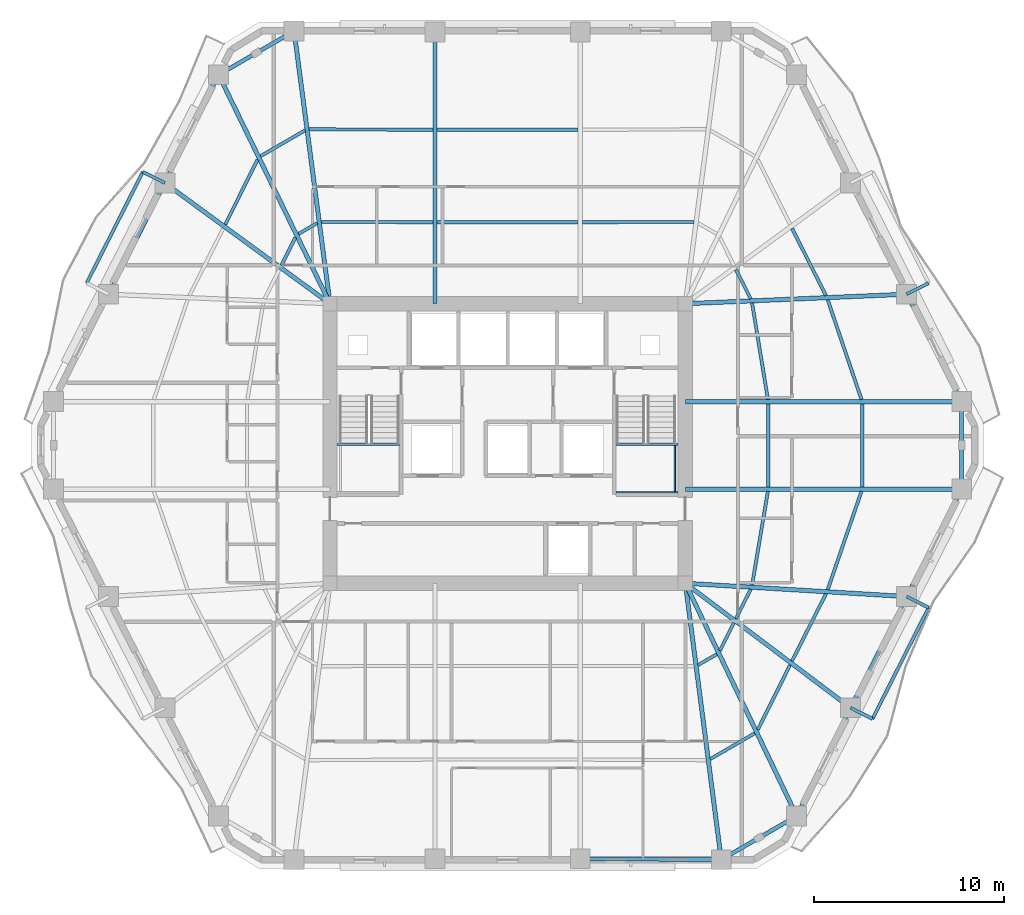
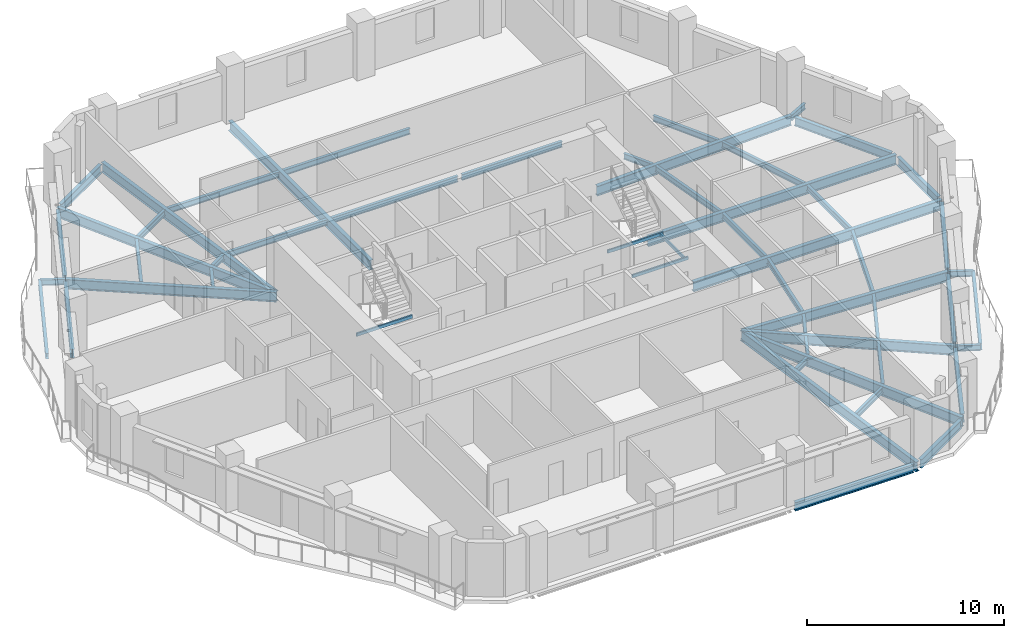
# One storey, part 2 of 12: 54 beams.
"""IFC4 building model written with IfcOpenShell, lengths in metres."""

from ifc_helpers import new_model, si_unit, direction, frame, origin, origin_2d, place, context, subcontext, project, spatial, hollow_rectangle, i_section, extrude, material, material_profile, profile_set, type_object, element, save


model = new_model("IFC4")

# Units and contexts
model_context = context("Model", 3, precision=1e-05, world=origin(), true_north=direction((0.0, 1.0)))
body_context = subcontext(model_context, "Body", "Model", "MODEL_VIEW")
ifc_project = project(units=[si_unit("LENGTHUNIT", "METRE"), si_unit("AREAUNIT", "SQUARE_METRE"), si_unit("VOLUMEUNIT", "CUBIC_METRE"), si_unit("PLANEANGLEUNIT", "RADIAN"), si_unit("MASSUNIT", "GRAM", prefix="KILO")], contexts=[model_context])

# Site, building, storey
site_placement = place(None, origin())
site = spatial("IfcSite", under=ifc_project, at=site_placement, CompositionType="ELEMENT")
building_placement = place(site_placement, origin())
building = spatial("IfcBuilding", under=site, at=building_placement, Name="Cinnabar Lancet Tower", CompositionType="ELEMENT")
storey_placement = place(building_placement, frame((0.0, 0.0, 123.25)))
storey = spatial("IfcBuildingStorey", under=building, at=storey_placement, Name="L32", CompositionType="ELEMENT", Elevation=123.25)

# Beams
ifc_material_1 = material(Name="Structural steel S355", Category="steel")
ifc_material_profile_1 = material_profile(ifc_material_1, i_section(OverallWidth=0.17138671875, OverallDepth=0.35498046875, WebThickness=0.00732421875, FlangeThickness=0.011474609375, FilletRadius=0.01025390625, at=origin_2d()), Name="UKB 356x171x51")
ifc_profile_set_1 = profile_set([ifc_material_profile_1], Name="Structural steel S355")
beam_type_1 = type_object("IfcBeamType", Name="STR-BM-JST-356", PredefinedType="JOIST", material=ifc_profile_set_1)
beam_1_placement = place(storey_placement, frame((43.093994140625, 9.251953125, -0.386962890625), z_axis=(0.865172906898, 0.501473669469, 0.0), x_axis=(-0.501473669469, 0.865172906898, 0.0)))
element("IfcBeam", 1, at=beam_1_placement, inside=storey, type_object=beam_type_1, Name="L32 Secondary Floor Joist 15", PredefinedType="JOIST", context=body_context, shape_type="SweptSolid", body=[
    extrude(i_section(OverallWidth=0.17138671875, OverallDepth=0.35498046875, WebThickness=0.00732421875, FlangeThickness=0.011474609375, FilletRadius=0.01025390625, at=origin_2d()), origin(), (0.0, 0.0, 1.0), 2.705810546875),
])
beam_2_placement = place(storey_placement, frame((42.449951171875, 14.2109375, -0.386962890625), z_axis=(0.865055308165, 0.501676503154, 0.0), x_axis=(-0.501676503154, 0.865055308165, 0.0)))
element("IfcBeam", 2, at=beam_2_placement, inside=storey, type_object=beam_type_1, Name="L32 Secondary Floor Joist 16", PredefinedType="JOIST", context=body_context, shape_type="SweptSolid", body=[
    extrude(i_section(OverallWidth=0.17138671875, OverallDepth=0.35498046875, WebThickness=0.00732421875, FlangeThickness=0.011474609375, FilletRadius=0.01025390625, at=origin_2d()), origin(), (0.0, 0.0, 1.0), 1.14208984375),
])
beam_3_placement = place(storey_placement, frame((45.59912109375, 10.7958984375, -0.386962890625), z_axis=(0.445295120803, 0.895383859241, 0.0), x_axis=(-0.895383859241, 0.445295120803, 0.0)))
element("IfcBeam", 3, at=beam_3_placement, inside=storey, type_object=beam_type_1, Name="L32 Secondary Floor Joist 17", PredefinedType="JOIST", context=body_context, shape_type="SweptSolid", body=[
    extrude(i_section(OverallWidth=0.17138671875, OverallDepth=0.35498046875, WebThickness=0.00732421875, FlangeThickness=0.011474609375, FilletRadius=0.01025390625, at=origin_2d()), origin(), (0.0, 0.0, 1.0), 3.81982421875),
])
beam_4_placement = place(storey_placement, frame((43.60205078125, 14.970947265625, -0.386962890625), z_axis=(0.44543923568, 0.895312173109, 0.0), x_axis=(-0.895312173109, 0.44543923568, 0.0)))
element("IfcBeam", 4, at=beam_4_placement, inside=storey, type_object=beam_type_1, Name="L32 Secondary Floor Joist 18", PredefinedType="JOIST", context=body_context, shape_type="SweptSolid", body=[
    extrude(i_section(OverallWidth=0.17138671875, OverallDepth=0.35498046875, WebThickness=0.00732421875, FlangeThickness=0.011474609375, FilletRadius=0.01025390625, at=origin_2d()), origin(), (0.0, 0.0, 1.0), 1.65185546875),
])
beam_5_placement = place(storey_placement, frame((47.404052734375, 14.424072265625, -0.386962890625), z_axis=(0.450706028652, 0.892672434736, 0.0), x_axis=(-0.892672434736, 0.450706028652, 0.0)))
element("IfcBeam", 5, at=beam_5_placement, inside=storey, type_object=beam_type_1, Name="L32 Secondary Floor Joist 19", PredefinedType="JOIST", context=body_context, shape_type="SweptSolid", body=[
    extrude(i_section(OverallWidth=0.17138671875, OverallDepth=0.35498046875, WebThickness=0.00732421875, FlangeThickness=0.011474609375, FilletRadius=0.01025390625, at=origin_2d()), origin(), (0.0, 0.0, 1.0), 3.966796875),
])
beam_6_placement = place(storey_placement, frame((44.44091796875, 16.657958984375, -0.386962890625), z_axis=(0.450874341268, 0.892587434589, 0.0), x_axis=(-0.892587434589, 0.450874341268, 0.0)))
element("IfcBeam", 6, at=beam_6_placement, inside=storey, type_object=beam_type_1, Name="L32 Secondary Floor Joist 20", PredefinedType="JOIST", context=body_context, shape_type="SweptSolid", body=[
    extrude(i_section(OverallWidth=0.17138671875, OverallDepth=0.35498046875, WebThickness=0.00732421875, FlangeThickness=0.011474609375, FilletRadius=0.01025390625, at=origin_2d()), origin(), (0.0, 0.0, 1.0), 1.732177734375),
])
beam_7_placement = place(storey_placement, frame((49.287109375, 18.18798828125, -0.386962890625), z_axis=(0.324639458548, 0.945837841257, 0.0), x_axis=(-0.945837841257, 0.324639458548, 0.0)))
element("IfcBeam", 7, at=beam_7_placement, inside=storey, type_object=beam_type_1, Name="L32 Secondary Floor Joist 21", PredefinedType="JOIST", context=body_context, shape_type="SweptSolid", body=[
    extrude(i_section(OverallWidth=0.17138671875, OverallDepth=0.35498046875, WebThickness=0.00732421875, FlangeThickness=0.011474609375, FilletRadius=0.01025390625, at=origin_2d()), origin(), (0.0, 0.0, 1.0), 5.486083984375),
])
beam_8_placement = place(storey_placement, frame((45.297119140625, 18.427978515625, -0.386962890625), z_axis=(0.165937104691, 0.986136338082, 0.0), x_axis=(-0.986136338082, 0.165937104691, 0.0)))
element("IfcBeam", 8, at=beam_8_placement, inside=storey, type_object=beam_type_1, Name="L32 Secondary Floor Joist 22", PredefinedType="JOIST", context=body_context, shape_type="SweptSolid", body=[
    extrude(i_section(OverallWidth=0.17138671875, OverallDepth=0.35498046875, WebThickness=0.00732421875, FlangeThickness=0.011474609375, FilletRadius=0.01025390625, at=origin_2d()), origin(), (0.0, 0.0, 1.0), 5.0185546875),
])
for number, where, z_axis, x_axis, name in (
    (9, (51.10693359375, 23.60498046875, -0.386962890625), (0.0, 1.0, 0.0), (-1.0, 0.0, 0.0), "L32 Secondary Floor Joist 23"),
    (10, (46.14990234375, 23.60498046875, -0.386962890625), (0.0, 1.0, 0.0), (-1.0, 0.0, 0.0), "L32 Secondary Floor Joist 24"),
):
    element("IfcBeam", number, at=place(storey_placement, frame(where, z_axis=z_axis, x_axis=x_axis)), inside=storey, type_object=beam_type_1, Name=name, PredefinedType="JOIST", context=body_context, shape_type="SweptSolid", body=[
        extrude(i_section(OverallWidth=0.17138671875, OverallDepth=0.35498046875, WebThickness=0.00732421875, FlangeThickness=0.011474609375, FilletRadius=0.01025390625, at=origin_2d()), origin(), (0.0, 0.0, 1.0), 4.39013671875),
    ])
beam_9_placement = place(storey_placement, frame((51.069091796875, 28.222900390625, -0.386962890625), z_axis=(-0.321063338019, 0.947057724207, 0.0), x_axis=(-0.947057724207, -0.321063338019, 0.0)))
element("IfcBeam", 11, at=beam_9_placement, inside=storey, type_object=beam_type_1, Name="L32 Secondary Floor Joist 25", PredefinedType="JOIST", context=body_context, shape_type="SweptSolid", body=[
    extrude(i_section(OverallWidth=0.17138671875, OverallDepth=0.35498046875, WebThickness=0.00732421875, FlangeThickness=0.011474609375, FilletRadius=0.01025390625, at=origin_2d()), origin(), (0.0, 0.0, 1.0), 5.553955078125),
])
beam_10_placement = place(storey_placement, frame((46.131103515625, 28.222900390625, -0.386962890625), z_axis=(-0.161719098977, 0.986836832017, 0.0), x_axis=(-0.986836832017, -0.161719098977, 0.0)))
element("IfcBeam", 12, at=beam_10_placement, inside=storey, type_object=beam_type_1, Name="L32 Secondary Floor Joist 26", PredefinedType="JOIST", context=body_context, shape_type="SweptSolid", body=[
    extrude(i_section(OverallWidth=0.17138671875, OverallDepth=0.35498046875, WebThickness=0.00732421875, FlangeThickness=0.011474609375, FilletRadius=0.01025390625, at=origin_2d()), origin(), (0.0, 0.0, 1.0), 5.156982421875),
])
beam_11_placement = place(storey_placement, frame((49.19189453125, 33.70703125, -0.386962890625), z_axis=(-0.450606998706, 0.892722427587, 0.0), x_axis=(-0.892722427587, -0.450606998706, 0.0)))
element("IfcBeam", 13, at=beam_11_placement, inside=storey, type_object=beam_type_1, Name="L32 Secondary Floor Joist 27", PredefinedType="JOIST", context=body_context, shape_type="SweptSolid", body=[
    extrude(i_section(OverallWidth=0.17138671875, OverallDepth=0.35498046875, WebThickness=0.00732421875, FlangeThickness=0.011474609375, FilletRadius=0.01025390625, at=origin_2d()), origin(), (0.0, 0.0, 1.0), 3.967529296875),
])
beam_12_placement = place(storey_placement, frame((45.221923828125, 33.537109375, -0.386962890625), z_axis=(-0.450931068976, 0.892558777354, 0.0), x_axis=(-0.892558777354, -0.450931068976, 0.0)))
element("IfcBeam", 14, at=beam_12_placement, inside=storey, type_object=beam_type_1, Name="L32 Secondary Floor Joist 28", PredefinedType="JOIST", context=body_context, shape_type="SweptSolid", body=[
    extrude(i_section(OverallWidth=0.17138671875, OverallDepth=0.35498046875, WebThickness=0.00732421875, FlangeThickness=0.011474609375, FilletRadius=0.01025390625, at=origin_2d()), origin(), (0.0, 0.0, 1.0), 1.73193359375),
])
beam_13_placement = place(storey_placement, frame((42.22802734375, 37.591064453125, -0.386962890625), z_axis=(-0.999996247906, -0.002739374605, 0.0), x_axis=(0.002739374605, -0.999996247906, 0.0)))
element("IfcBeam", 15, at=beam_13_placement, inside=storey, type_object=beam_type_1, Name="L32 Secondary Floor Joist 34", PredefinedType="JOIST", context=body_context, shape_type="SweptSolid", body=[
    extrude(i_section(OverallWidth=0.17138671875, OverallDepth=0.35498046875, WebThickness=0.00732421875, FlangeThickness=0.011474609375, FilletRadius=0.01025390625, at=origin_2d()), origin(), (0.0, 0.0, 1.0), 5.882080078125),
])
for number, where, z_axis, x_axis, name in (
    (16, (36.117919921875, 42.447998046875, -0.386962890625), (-1.0, 0.0, 0.0), (0.0, -1.0, 0.0), "L32 Secondary Floor Joist 35"),
    (17, (36.117919921875, 37.574951171875, -0.386962890625), (-1.0, 0.0, 0.0), (0.0, -1.0, 0.0), "L32 Secondary Floor Joist 36"),
):
    element("IfcBeam", number, at=place(storey_placement, frame(where, z_axis=z_axis, x_axis=x_axis)), inside=storey, type_object=beam_type_1, Name=name, PredefinedType="JOIST", context=body_context, shape_type="SweptSolid", body=[
        extrude(i_section(OverallWidth=0.17138671875, OverallDepth=0.35498046875, WebThickness=0.00732421875, FlangeThickness=0.011474609375, FilletRadius=0.01025390625, at=origin_2d()), origin(), (0.0, 0.0, 1.0), 7.43603515625),
    ])
beam_14_placement = place(storey_placement, frame((28.4541015625, 42.448974609375, -0.386962890625), z_axis=(-0.999987991898, 0.004900618269, 0.0), x_axis=(-0.004900618269, -0.999987991898, 0.0)))
element("IfcBeam", 18, at=beam_14_placement, inside=storey, type_object=beam_type_1, Name="L32 Secondary Floor Joist 37", PredefinedType="JOIST", context=body_context, shape_type="SweptSolid", body=[
    extrude(i_section(OverallWidth=0.17138671875, OverallDepth=0.35498046875, WebThickness=0.00732421875, FlangeThickness=0.011474609375, FilletRadius=0.01025390625, at=origin_2d()), origin(), (0.0, 0.0, 1.0), 6.526123046875),
])
beam_15_placement = place(storey_placement, frame((28.4541015625, 37.574951171875, -0.386962890625), z_axis=(-0.999996247906, 0.002739374605, 0.0), x_axis=(-0.002739374605, -0.999996247906, 0.0)))
element("IfcBeam", 19, at=beam_15_placement, inside=storey, type_object=beam_type_1, Name="L32 Secondary Floor Joist 38", PredefinedType="JOIST", context=body_context, shape_type="SweptSolid", body=[
    extrude(i_section(OverallWidth=0.17138671875, OverallDepth=0.35498046875, WebThickness=0.00732421875, FlangeThickness=0.011474609375, FilletRadius=0.01025390625, at=origin_2d()), origin(), (0.0, 0.0, 1.0), 5.882080078125),
])
beam_16_placement = place(storey_placement, frame((21.7060546875, 42.419921875, -0.386962890625), z_axis=(-0.865172906898, -0.501473669469, 0.0), x_axis=(0.501473669469, -0.865172906898, 0.0)))
element("IfcBeam", 20, at=beam_16_placement, inside=storey, type_object=beam_type_1, Name="L32 Secondary Floor Joist 39", PredefinedType="JOIST", context=body_context, shape_type="SweptSolid", body=[
    extrude(i_section(OverallWidth=0.17138671875, OverallDepth=0.35498046875, WebThickness=0.00732421875, FlangeThickness=0.011474609375, FilletRadius=0.01025390625, at=origin_2d()), origin(), (0.0, 0.0, 1.0), 2.705810546875),
])
beam_17_placement = place(storey_placement, frame((22.35009765625, 37.529052734375, -0.386962890625), z_axis=(-0.865055308165, -0.501676503154, 0.0), x_axis=(0.501676503154, -0.865055308165, 0.0)))
element("IfcBeam", 21, at=beam_17_placement, inside=storey, type_object=beam_type_1, Name="L32 Secondary Floor Joist 40", PredefinedType="JOIST", context=body_context, shape_type="SweptSolid", body=[
    extrude(i_section(OverallWidth=0.17138671875, OverallDepth=0.35498046875, WebThickness=0.00732421875, FlangeThickness=0.011474609375, FilletRadius=0.01025390625, at=origin_2d()), origin(), (0.0, 0.0, 1.0), 1.14208984375),
])
beam_18_placement = place(storey_placement, frame((19.200927734375, 40.876953125, -0.386962890625), z_axis=(-0.445116798807, -0.895472520751, 0.0), x_axis=(0.895472520751, -0.445116798807, 0.0)))
element("IfcBeam", 22, at=beam_18_placement, inside=storey, type_object=beam_type_1, Name="L32 Secondary Floor Joist 41", PredefinedType="JOIST", context=body_context, shape_type="SweptSolid", body=[
    extrude(i_section(OverallWidth=0.17138671875, OverallDepth=0.35498046875, WebThickness=0.00732421875, FlangeThickness=0.011474609375, FilletRadius=0.01025390625, at=origin_2d()), origin(), (0.0, 0.0, 1.0), 3.8212890625),
])
beam_19_placement = place(storey_placement, frame((21.198974609375, 36.77001953125, -0.386962890625), z_axis=(-0.445795466264, -0.895134851438, 0.0), x_axis=(0.895134851438, -0.445795466264, 0.0)))
element("IfcBeam", 23, at=beam_19_placement, inside=storey, type_object=beam_type_1, Name="L32 Secondary Floor Joist 42", PredefinedType="JOIST", context=body_context, shape_type="SweptSolid", body=[
    extrude(i_section(OverallWidth=0.17138671875, OverallDepth=0.35498046875, WebThickness=0.00732421875, FlangeThickness=0.011474609375, FilletRadius=0.01025390625, at=origin_2d()), origin(), (0.0, 0.0, 1.0), 1.6533203125),
])
ifc_material_2 = material(Name="Structural steel S355", Category="steel")
ifc_material_profile_2 = material_profile(ifc_material_2, hollow_rectangle(XDim=0.10009765625, YDim=0.199951171875, WallThickness=0.008056640625, InnerFilletRadius=0.00390625, OuterFilletRadius=0.011962890625, at=origin_2d()), Name="RHS 200x100x8")
ifc_profile_set_2 = profile_set([ifc_material_profile_2], Name="Structural steel S355")
beam_type_2 = type_object("IfcBeamType", Name="STR-BM-LND-203", PredefinedType="BEAM", material=ifc_profile_set_2)
beam_20_placement = place(storey_placement, frame((23.39990234375, 25.844970703125, 1.47509765625), z_axis=(1.0, 0.0, 0.0), x_axis=(0.0, 1.0, 0.0)))
element("IfcBeam", 24, at=beam_20_placement, inside=storey, type_object=beam_type_2, Name="L32 ST-1-L32 Landing Support Beam N", PredefinedType="BEAM", context=body_context, shape_type="SweptSolid", body=[
    extrude(hollow_rectangle(XDim=0.10009765625, YDim=0.199951171875, WallThickness=0.008056640625, InnerFilletRadius=0.00390625, OuterFilletRadius=0.011962890625, at=origin_2d()), origin(), (0.0, 0.0, 1.0), 3.280029296875),
])
for number, where, z_axis, x_axis, name in (
    (25, (38.1201171875, 23.330078125, 1.47509765625), (1.0, 0.0, 0.0), (0.0, 1.0, 0.0), "L32 ST-2-L32 Landing Support Beam S"),
    (26, (38.1201171875, 25.844970703125, 1.47509765625), (1.0, 0.0, 0.0), (0.0, 1.0, 0.0), "L32 ST-2-L32 Landing Support Beam N"),
):
    element("IfcBeam", number, at=place(storey_placement, frame(where, z_axis=z_axis, x_axis=x_axis)), inside=storey, type_object=beam_type_2, Name=name, PredefinedType="BEAM", context=body_context, shape_type="SweptSolid", body=[
        extrude(hollow_rectangle(XDim=0.10009765625, YDim=0.199951171875, WallThickness=0.008056640625, InnerFilletRadius=0.00390625, OuterFilletRadius=0.011962890625, at=origin_2d()), origin(), (0.0, 0.0, 1.0), 3.27978515625),
    ])
beam_21_placement = place(storey_placement, frame((41.219970703125, 23.3798828125, 1.47509765625), z_axis=(0.0, 1.0, 0.0), x_axis=(-1.0, 0.0, 0.0)))
element("IfcBeam", 27, at=beam_21_placement, inside=storey, type_object=beam_type_2, Name="L32 ST-2-L32 Landing Side Trimmer Beam", PredefinedType="BEAM", context=body_context, shape_type="SweptSolid", body=[
    extrude(hollow_rectangle(XDim=0.10009765625, YDim=0.199951171875, WallThickness=0.008056640625, InnerFilletRadius=0.00390625, OuterFilletRadius=0.011962890625, at=origin_2d()), origin(), (0.0, 0.0, 1.0), 2.4150390625),
])
ifc_material_3 = material(Name="Structural steel S355", Category="steel")
ifc_material_profile_3 = material_profile(ifc_material_3, i_section(OverallWidth=0.209228515625, OverallDepth=0.533203125, WebThickness=0.010009765625, FlangeThickness=0.015625, FilletRadius=0.0126953125, at=origin_2d()), Name="UKB 533x210x92")
ifc_profile_set_3 = profile_set([ifc_material_profile_3], Name="Structural steel S355")
beam_type_3 = type_object("IfcBeamType", Name="STR-BM-SPN-533", PredefinedType="SPANDREL", material=ifc_profile_set_3)
beam_22_placement = place(storey_placement, frame((36.48193359375, 3.989990234375, -0.47705078125), z_axis=(0.999974980359, -0.007073800628, 0.0), x_axis=(0.007073800628, 0.999974980359, 0.0)))
element("IfcBeam", 28, at=beam_22_placement, inside=storey, type_object=beam_type_3, Name="L32 Perimeter Spandrel 3", PredefinedType="SPANDREL", context=body_context, shape_type="SweptSolid", body=[
    extrude(i_section(OverallWidth=0.209228515625, OverallDepth=0.533203125, WebThickness=0.010009765625, FlangeThickness=0.015625, FilletRadius=0.0126953125, at=origin_2d()), origin(), (0.0, 0.0, 1.0), 6.937255859375),
])
beam_23_placement = place(storey_placement, frame((43.885009765625, 4.06396484375, -0.47705078125), z_axis=(0.865112299906, 0.501578217781, 0.0), x_axis=(-0.501578217781, 0.865112299906, 0.0)))
element("IfcBeam", 29, at=beam_23_placement, inside=storey, type_object=beam_type_3, Name="L32 Perimeter Spandrel 4", PredefinedType="SPANDREL", context=body_context, shape_type="SweptSolid", body=[
    extrude(i_section(OverallWidth=0.209228515625, OverallDepth=0.533203125, WebThickness=0.010009765625, FlangeThickness=0.015625, FilletRadius=0.0126953125, at=origin_2d()), origin(), (0.0, 0.0, 1.0), 4.101318359375),
])
beam_24_placement = place(storey_placement, frame((47.760009765625, 6.469970703125, -0.47705078125), z_axis=(0.445501068635, 0.89528140707, 0.0), x_axis=(-0.89528140707, 0.445501068635, 0.0)))
element("IfcBeam", 30, at=beam_24_placement, inside=storey, type_object=beam_type_3, Name="L32 Perimeter Spandrel 5", PredefinedType="SPANDREL", context=body_context, shape_type="SweptSolid", body=[
    extrude(i_section(OverallWidth=0.209228515625, OverallDepth=0.533203125, WebThickness=0.010009765625, FlangeThickness=0.015625, FilletRadius=0.0126953125, at=origin_2d()), origin(), (0.0, 0.0, 1.0), 5.87646484375),
])
beam_25_placement = place(storey_placement, frame((50.60205078125, 12.177978515625, -0.47705078125), z_axis=(0.450570325924, 0.892740937449, 0.0), x_axis=(-0.892740937449, 0.450570325924, 0.0)))
element("IfcBeam", 31, at=beam_25_placement, inside=storey, type_object=beam_type_3, Name="L32 Perimeter Spandrel 6", PredefinedType="SPANDREL", context=body_context, shape_type="SweptSolid", body=[
    extrude(i_section(OverallWidth=0.209228515625, OverallDepth=0.533203125, WebThickness=0.010009765625, FlangeThickness=0.015625, FilletRadius=0.0126953125, at=origin_2d()), origin(), (0.0, 0.0, 1.0), 6.07470703125),
])
beam_26_placement = place(storey_placement, frame((53.56591796875, 18.0458984375, -0.47705078125), z_axis=(0.456109733574, 0.889923542187, 0.0), x_axis=(-0.889923542187, 0.456109733574, 0.0)))
element("IfcBeam", 32, at=beam_26_placement, inside=storey, type_object=beam_type_3, Name="L32 Perimeter Spandrel 7", PredefinedType="SPANDREL", context=body_context, shape_type="SweptSolid", body=[
    extrude(i_section(OverallWidth=0.209228515625, OverallDepth=0.533203125, WebThickness=0.010009765625, FlangeThickness=0.015625, FilletRadius=0.0126953125, at=origin_2d()), origin(), (0.0, 0.0, 1.0), 5.869140625),
])
beam_27_placement = place(storey_placement, frame((56.35693359375, 23.740966796875, -0.47705078125), z_axis=(0.0, 1.0, 0.0), x_axis=(-1.0, 0.0, 0.0)))
element("IfcBeam", 33, at=beam_27_placement, inside=storey, type_object=beam_type_3, Name="L32 Perimeter Spandrel 8", PredefinedType="SPANDREL", context=body_context, shape_type="SweptSolid", body=[
    extrude(i_section(OverallWidth=0.209228515625, OverallDepth=0.533203125, WebThickness=0.010009765625, FlangeThickness=0.015625, FilletRadius=0.0126953125, at=origin_2d()), origin(), (0.0, 0.0, 1.0), 4.117919921875),
])
beam_28_placement = place(storey_placement, frame((56.242919921875, 28.3310546875, -0.47705078125), z_axis=(-0.456126618405, 0.889914888055, 0.0), x_axis=(-0.889914888055, -0.456126618405, 0.0)))
element("IfcBeam", 34, at=beam_28_placement, inside=storey, type_object=beam_type_3, Name="L32 Perimeter Spandrel 9", PredefinedType="SPANDREL", context=body_context, shape_type="SweptSolid", body=[
    extrude(i_section(OverallWidth=0.209228515625, OverallDepth=0.533203125, WebThickness=0.010009765625, FlangeThickness=0.015625, FilletRadius=0.0126953125, at=origin_2d()), origin(), (0.0, 0.0, 1.0), 5.868896484375),
])
beam_29_placement = place(storey_placement, frame((20.9150390625, 47.535888671875, -0.47705078125), z_axis=(-0.865138129765, -0.5015336643, 0.0), x_axis=(0.5015336643, -0.865138129765, 0.0)))
element("IfcBeam", 35, at=beam_29_placement, inside=storey, type_object=beam_type_3, Name="L32 Perimeter Spandrel 16", PredefinedType="SPANDREL", context=body_context, shape_type="SweptSolid", body=[
    extrude(i_section(OverallWidth=0.209228515625, OverallDepth=0.533203125, WebThickness=0.010009765625, FlangeThickness=0.015625, FilletRadius=0.0126953125, at=origin_2d()), origin(), (0.0, 0.0, 1.0), 4.10107421875),
])
beam_30_placement = place(storey_placement, frame((17.0400390625, 45.1298828125, -0.47705078125), z_axis=(-0.445501068635, -0.89528140707, 0.0), x_axis=(0.89528140707, -0.445501068635, 0.0)))
element("IfcBeam", 36, at=beam_30_placement, inside=storey, type_object=beam_type_3, Name="L32 Perimeter Spandrel 17", PredefinedType="SPANDREL", context=body_context, shape_type="SweptSolid", body=[
    extrude(i_section(OverallWidth=0.209228515625, OverallDepth=0.533203125, WebThickness=0.010009765625, FlangeThickness=0.015625, FilletRadius=0.0126953125, at=origin_2d()), origin(), (0.0, 0.0, 1.0), 5.87646484375),
])
beam_31_placement = place(storey_placement, frame((14.197998046875, 39.422119140625, -0.47705078125), z_axis=(-0.450570325924, -0.892740937449, 0.0), x_axis=(0.892740937449, -0.450570325924, 0.0)))
element("IfcBeam", 37, at=beam_31_placement, inside=storey, type_object=beam_type_3, Name="L32 Perimeter Spandrel 18", PredefinedType="SPANDREL", context=body_context, shape_type="SweptSolid", body=[
    extrude(i_section(OverallWidth=0.209228515625, OverallDepth=0.533203125, WebThickness=0.010009765625, FlangeThickness=0.015625, FilletRadius=0.0126953125, at=origin_2d()), origin(), (0.0, 0.0, 1.0), 6.07470703125),
])
ifc_material_4 = material(Name="Structural steel S355", Category="steel")
ifc_material_profile_4 = material_profile(ifc_material_4, i_section(OverallWidth=0.228271484375, OverallDepth=0.607666015625, WebThickness=0.010986328125, FlangeThickness=0.017333984375, FilletRadius=0.0126953125, at=origin_2d()), Name="UKB 610x229x113")
ifc_profile_set_4 = profile_set([ifc_material_profile_4], Name="Structural steel S355")
beam_type_4 = type_object("IfcBeamType", Name="STR-BM-UKB610-113", PredefinedType="BEAM", material=ifc_profile_set_4)
beam_32_placement = place(storey_placement, frame((50.489013671875, 11.955078125, -0.513916015625), z_axis=(-0.798491457835, 0.602006139308, 0.0), x_axis=(-0.602006139308, -0.798491457835, 0.0)))
element("IfcBeam", 38, at=beam_32_placement, inside=storey, type_object=beam_type_4, Name="L32 Corner Collector Girder 2", PredefinedType="BEAM", context=body_context, shape_type="SweptSolid", body=[
    extrude(i_section(OverallWidth=0.228271484375, OverallDepth=0.607666015625, WebThickness=0.010986328125, FlangeThickness=0.017333984375, FilletRadius=0.0126953125, at=origin_2d()), origin(), (0.0, 0.0, 1.0), 10.913330078125),
])
beam_33_placement = place(storey_placement, frame((14.31103515625, 39.64501953125, -0.513916015625), z_axis=(0.807289993592, -0.590154951048, 0.0), x_axis=(0.590154951048, 0.807289993592, 0.0)))
element("IfcBeam", 39, at=beam_33_placement, inside=storey, type_object=beam_type_4, Name="L32 Corner Collector Girder 4", PredefinedType="BEAM", context=body_context, shape_type="SweptSolid", body=[
    extrude(i_section(OverallWidth=0.228271484375, OverallDepth=0.607666015625, WebThickness=0.010986328125, FlangeThickness=0.017333984375, FilletRadius=0.0126953125, at=origin_2d()), origin(), (0.0, 0.0, 1.0), 10.7939453125),
])
beam_34_placement = place(storey_placement, frame((43.6689453125, 3.93896484375, -0.513916015625), z_axis=(-0.12877289353, 0.99167411073, 0.0), x_axis=(-0.99167411073, -0.12877289353, 0.0)))
element("IfcBeam", 40, at=beam_34_placement, inside=storey, type_object=beam_type_4, Name="L32 Primary Floor Girder 4", PredefinedType="BEAM", context=body_context, shape_type="SweptSolid", body=[
    extrude(i_section(OverallWidth=0.228271484375, OverallDepth=0.607666015625, WebThickness=0.010986328125, FlangeThickness=0.017333984375, FilletRadius=0.0126953125, at=origin_2d()), origin(), (0.0, 0.0, 1.0), 14.70849609375),
])
beam_35_placement = place(storey_placement, frame((47.64892578125, 6.24609375, -0.513916015625), z_axis=(-0.431548156881, 0.902089900339, 0.0), x_axis=(-0.902089900339, -0.431548156881, 0.0)))
element("IfcBeam", 41, at=beam_35_placement, inside=storey, type_object=beam_type_4, Name="L32 Primary Floor Girder 5", PredefinedType="BEAM", context=body_context, shape_type="SweptSolid", body=[
    extrude(i_section(OverallWidth=0.228271484375, OverallDepth=0.607666015625, WebThickness=0.010986328125, FlangeThickness=0.017333984375, FilletRadius=0.0126953125, at=origin_2d()), origin(), (0.0, 0.0, 1.0), 13.611572265625),
])
beam_36_placement = place(storey_placement, frame((53.451904296875, 17.823974609375, -0.513916015625), z_axis=(-0.998203272991, 0.059918492897, 0.0), x_axis=(-0.059918492897, -0.998203272991, 0.0)))
element("IfcBeam", 42, at=beam_36_placement, inside=storey, type_object=beam_type_4, Name="L32 Primary Floor Girder 7", PredefinedType="BEAM", context=body_context, shape_type="SweptSolid", body=[
    extrude(i_section(OverallWidth=0.228271484375, OverallDepth=0.607666015625, WebThickness=0.010986328125, FlangeThickness=0.017333984375, FilletRadius=0.0126953125, at=origin_2d()), origin(), (0.0, 0.0, 1.0), 11.697998046875),
])
for number, where, z_axis, x_axis, name in (
    (43, (56.35693359375, 23.490966796875, -0.513916015625), (-1.0, 0.0, 0.0), (0.0, -1.0, 0.0), "L32 Primary Floor Girder 8"),
    (44, (56.35693359375, 28.10888671875, -0.513916015625), (-1.0, 0.0, 0.0), (0.0, -1.0, 0.0), "L32 Primary Floor Girder 9"),
):
    element("IfcBeam", number, at=place(storey_placement, frame(where, z_axis=z_axis, x_axis=x_axis)), inside=storey, type_object=beam_type_4, Name=name, PredefinedType="BEAM", context=body_context, shape_type="SweptSolid", body=[
        extrude(i_section(OverallWidth=0.228271484375, OverallDepth=0.607666015625, WebThickness=0.010986328125, FlangeThickness=0.017333984375, FilletRadius=0.0126953125, at=origin_2d()), origin(), (0.0, 0.0, 1.0), 14.58203125),
    ])
beam_37_placement = place(storey_placement, frame((53.451904296875, 33.77587890625, -0.513916015625), z_axis=(-0.999080941658, -0.042863411158, 0.0), x_axis=(0.042863411158, -0.999080941658, 0.0)))
element("IfcBeam", 45, at=beam_37_placement, inside=storey, type_object=beam_type_4, Name="L32 Primary Floor Girder 10", PredefinedType="BEAM", context=body_context, shape_type="SweptSolid", body=[
    extrude(i_section(OverallWidth=0.228271484375, OverallDepth=0.607666015625, WebThickness=0.010986328125, FlangeThickness=0.017333984375, FilletRadius=0.0126953125, at=origin_2d()), origin(), (0.0, 0.0, 1.0), 11.687744140625),
])
beam_38_placement = place(storey_placement, frame((28.568115234375, 47.60791015625, -0.513916015625), z_axis=(0.0, -1.0, 0.0), x_axis=(1.0, 0.0, 0.0)))
element("IfcBeam", 46, at=beam_38_placement, inside=storey, type_object=beam_type_4, Name="L32 Primary Floor Girder 15", PredefinedType="BEAM", context=body_context, shape_type="SweptSolid", body=[
    extrude(i_section(OverallWidth=0.228271484375, OverallDepth=0.607666015625, WebThickness=0.010986328125, FlangeThickness=0.017333984375, FilletRadius=0.0126953125, at=origin_2d()), origin(), (0.0, 0.0, 1.0), 14.3330078125),
])
beam_39_placement = place(storey_placement, frame((21.131103515625, 47.660888671875, -0.513916015625), z_axis=(0.130515881524, -0.991446218748, 0.0), x_axis=(0.991446218748, 0.130515881524, 0.0)))
element("IfcBeam", 47, at=beam_39_placement, inside=storey, type_object=beam_type_4, Name="L32 Primary Floor Girder 16", PredefinedType="BEAM", context=body_context, shape_type="SweptSolid", body=[
    extrude(i_section(OverallWidth=0.228271484375, OverallDepth=0.607666015625, WebThickness=0.010986328125, FlangeThickness=0.017333984375, FilletRadius=0.0126953125, at=origin_2d()), origin(), (0.0, 0.0, 1.0), 14.510009765625),
])
beam_40_placement = place(storey_placement, frame((17.15087890625, 45.35400390625, -0.513916015625), z_axis=(0.437327473227, -0.899302330232, 0.0), x_axis=(0.899302330232, 0.437327473227, 0.0)))
element("IfcBeam", 48, at=beam_40_placement, inside=storey, type_object=beam_type_4, Name="L32 Primary Floor Girder 17", PredefinedType="BEAM", context=body_context, shape_type="SweptSolid", body=[
    extrude(i_section(OverallWidth=0.228271484375, OverallDepth=0.607666015625, WebThickness=0.010986328125, FlangeThickness=0.017333984375, FilletRadius=0.0126953125, at=origin_2d()), origin(), (0.0, 0.0, 1.0), 13.431640625),
])
ifc_material_5 = material(Name="Structural steel S355", Category="steel")
ifc_material_profile_5 = material_profile(ifc_material_5, i_section(OverallWidth=0.17138671875, OverallDepth=0.35498046875, WebThickness=0.00732421875, FlangeThickness=0.011474609375, FilletRadius=0.01025390625, at=origin_2d()), Name="UKB 356x171x51")
ifc_profile_set_5 = profile_set([ifc_material_profile_5], Name="Structural steel S355")
beam_type_5 = type_object("IfcBeamType", Name="STR-BM-WAV-OUT", PredefinedType="BEAM", material=ifc_profile_set_5)
for number, where, z_axis, x_axis, name in (
    (49, (50.489013671875, 11.955078125, -0.39697265625), (0.892200264127, -0.451639998995, 0.0), (0.451639998995, 0.892200264127, 0.0), "L32 Face 2 Balcony Outlooker A"),
    (50, (53.451904296875, 17.823974609375, -0.39697265625), (0.892314203325, -0.451414845285, 0.0), (0.451414845285, 0.892314203325, 0.0), "L32 Face 2 Balcony Outlooker B"),
):
    element("IfcBeam", number, at=place(storey_placement, frame(where, z_axis=z_axis, x_axis=x_axis)), inside=storey, type_object=beam_type_5, Name=name, PredefinedType="BEAM", context=body_context, shape_type="SweptSolid", body=[
        extrude(i_section(OverallWidth=0.17138671875, OverallDepth=0.35498046875, WebThickness=0.00732421875, FlangeThickness=0.011474609375, FilletRadius=0.01025390625, at=origin_2d()), origin(), (0.0, 0.0, 1.0), 1.300048828125),
    ])
beam_41_placement = place(storey_placement, frame((53.451904296875, 33.77587890625, -0.39697265625), z_axis=(0.892238560088, 0.451564338597, 0.0), x_axis=(-0.451564338597, 0.892238560088, 0.0)))
element("IfcBeam", 51, at=beam_41_placement, inside=storey, type_object=beam_type_5, Name="L32 Face 3 Balcony Outlooker A", PredefinedType="BEAM", context=body_context, shape_type="SweptSolid", body=[
    extrude(i_section(OverallWidth=0.17138671875, OverallDepth=0.35498046875, WebThickness=0.00732421875, FlangeThickness=0.011474609375, FilletRadius=0.01025390625, at=origin_2d()), origin(), (0.0, 0.0, 1.0), 1.30029296875),
])
beam_42_placement = place(storey_placement, frame((14.31103515625, 39.64501953125, -0.39697265625), z_axis=(-0.892314203325, 0.451414845285, 0.0), x_axis=(-0.451414845285, -0.892314203325, 0.0)))
element("IfcBeam", 52, at=beam_42_placement, inside=storey, type_object=beam_type_5, Name="L32 Face 5 Balcony Outlooker A", PredefinedType="BEAM", context=body_context, shape_type="SweptSolid", body=[
    extrude(i_section(OverallWidth=0.17138671875, OverallDepth=0.35498046875, WebThickness=0.00732421875, FlangeThickness=0.011474609375, FilletRadius=0.01025390625, at=origin_2d()), origin(), (0.0, 0.0, 1.0), 1.300048828125),
])
ifc_material_6 = material(Name="Structural steel S355", Category="steel")
ifc_material_profile_6 = material_profile(ifc_material_6, i_section(OverallWidth=0.17138671875, OverallDepth=0.35498046875, WebThickness=0.00732421875, FlangeThickness=0.011474609375, FilletRadius=0.01025390625, at=origin_2d()), Name="UKB 356x171x51")
ifc_profile_set_6 = profile_set([ifc_material_profile_6], Name="Structural steel S355")
beam_type_6 = type_object("IfcBeamType", Name="STR-BM-WAV-TRIM", PredefinedType="SPANDREL", material=ifc_profile_set_6)
beam_43_placement = place(storey_placement, frame((51.64892578125, 11.367919921875, -0.39697265625), z_axis=(0.450685888317, 0.892682603209, 0.0), x_axis=(-0.892682603209, 0.450685888317, 0.0)))
element("IfcBeam", 53, at=beam_43_placement, inside=storey, type_object=beam_type_6, Name="L32 Face 2 Balcony Edge Trimmer", PredefinedType="SPANDREL", context=body_context, shape_type="SweptSolid", body=[
    extrude(i_section(OverallWidth=0.17138671875, OverallDepth=0.35498046875, WebThickness=0.00732421875, FlangeThickness=0.011474609375, FilletRadius=0.01025390625, at=origin_2d()), origin(), (0.0, 0.0, 1.0), 6.57470703125),
])
beam_44_placement = place(storey_placement, frame((13.15087890625, 40.23193359375, -0.39697265625), z_axis=(-0.450671236139, -0.892690000457, 0.0), x_axis=(0.892690000457, -0.450671236139, 0.0)))
element("IfcBeam", 54, at=beam_44_placement, inside=storey, type_object=beam_type_6, Name="L32 Face 5 Balcony Edge Trimmer", PredefinedType="SPANDREL", context=body_context, shape_type="SweptSolid", body=[
    extrude(i_section(OverallWidth=0.17138671875, OverallDepth=0.35498046875, WebThickness=0.00732421875, FlangeThickness=0.011474609375, FilletRadius=0.01025390625, at=origin_2d()), origin(), (0.0, 0.0, 1.0), 6.574462890625),
])

save(model, "model.ifc")
